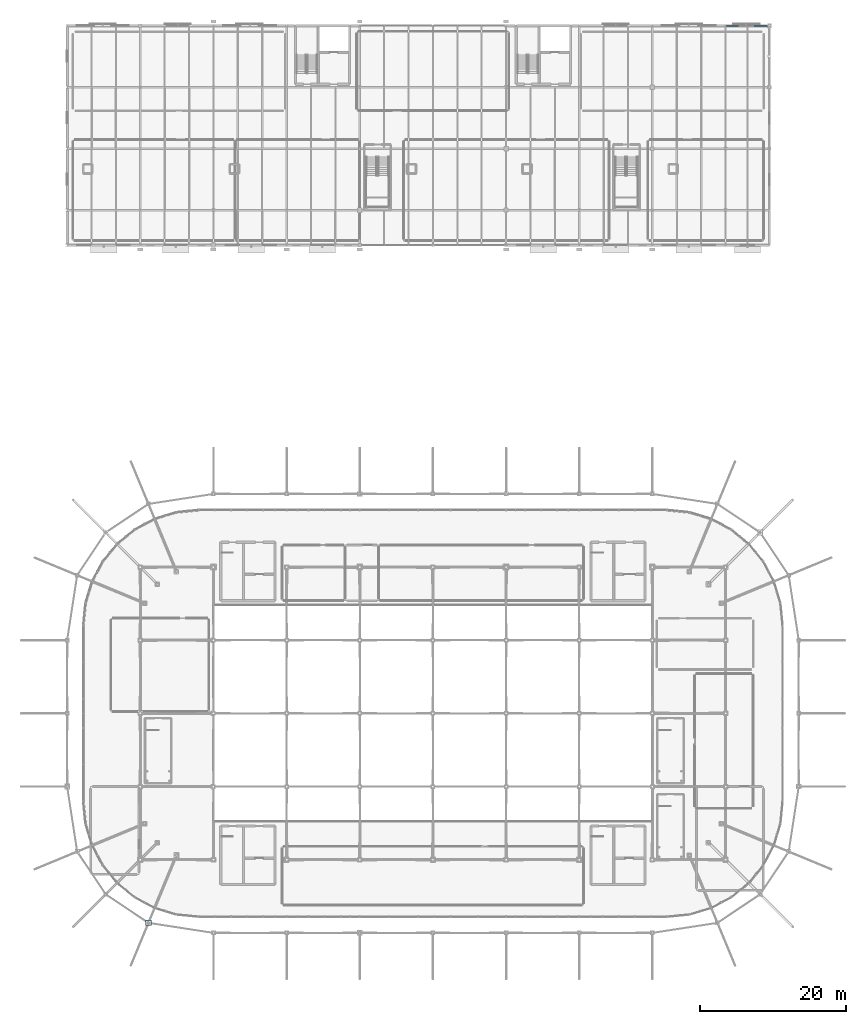
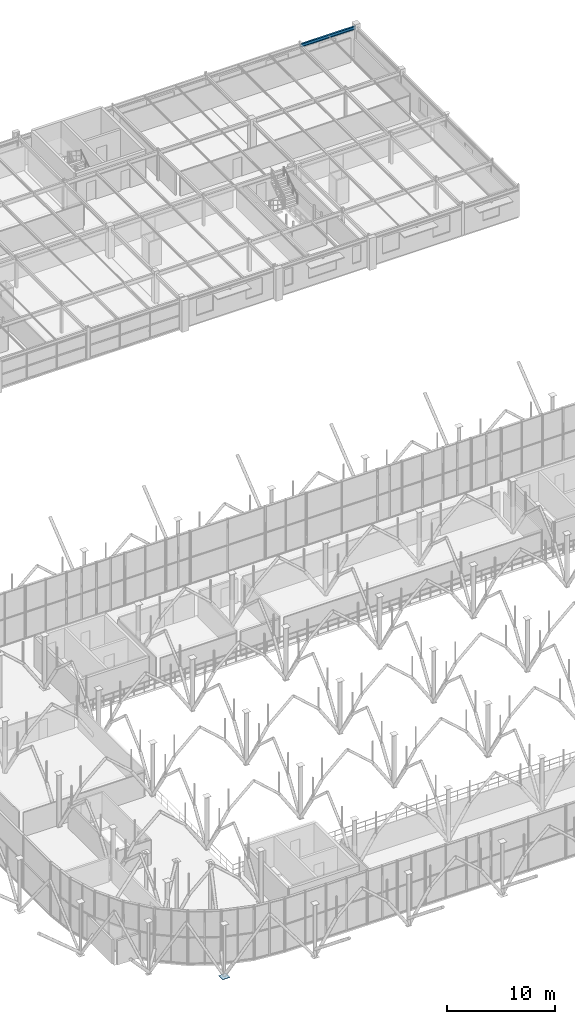
# One storey, part 85 of 109: 1 beam, 1 plate.
"""IFC4 building model written with IfcOpenShell, lengths in metres."""

from ifc_helpers import new_model, si_unit, derived_unit, direction, frame, origin, origin_2d_with_axis, place, context, subcontext, project, spatial, rectangle, i_section, extrude, material, layer, layer_set, material_profile, profile_set, type_object, element, save


model = new_model("IFC4")

# Units and contexts
model_context = context("Model", 3, precision=1e-05, world=origin(), true_north=direction((0.0, 1.0)))
body_context = subcontext(model_context, "Body", "Model", "MODEL_VIEW")
ifc_project = project(units=[si_unit("LENGTHUNIT", "METRE"), si_unit("AREAUNIT", "SQUARE_METRE"), si_unit("VOLUMEUNIT", "CUBIC_METRE"), si_unit("PLANEANGLEUNIT", "RADIAN"), si_unit("MASSUNIT", "GRAM", prefix="KILO"), derived_unit("THERMALTRANSMITTANCEUNIT", [(si_unit("POWERUNIT", "WATT"), 1), (si_unit("LENGTHUNIT", "METRE"), -2), (si_unit("THERMODYNAMICTEMPERATUREUNIT", "KELVIN"), -1)])], contexts=[model_context])

# Site, building, storey
site_placement = place(None, origin())
site = spatial("IfcSite", under=ifc_project, at=site_placement, CompositionType="ELEMENT")
building_placement = place(site_placement, origin())
building = spatial("IfcBuilding", under=site, at=building_placement, Name="Cinnabar Yard Market Hall", CompositionType="ELEMENT")
storey_placement = place(building_placement, frame((0.0, 0.0, 8.39990234375)))
storey = spatial("IfcBuildingStorey", under=building, at=storey_placement, Name="L02", CompositionType="ELEMENT", Elevation=8.39990234375)

# Beam
ifc_material_1 = material(Name="Steel Grade 300 (300 MPa)", Category="steel")
ifc_material_profile = material_profile(ifc_material_1, i_section(OverallWidth=0.172119140625, OverallDepth=0.358642578125, WebThickness=0.008056640625, FlangeThickness=0.012939453125, FilletRadius=0.011474609375, at=origin_2d_with_axis()), Name="360UB56.7")
ifc_profile_set = profile_set([ifc_material_profile], Name="Steel Grade 300 (300 MPa)")
beam_type = type_object("IfcBeamType", Name="BM-SP02E", PredefinedType="SPANDREL", material=ifc_profile_set)
beam_placement = place(storey_placement, frame((156.06005859375, 138.0, 3.100830078125), z_axis=(1.0, 0.0, 0.0), x_axis=(0.0, 1.0, 0.0)))
element("IfcBeam", 1, at=beam_placement, inside=storey, type_object=beam_type, Name="V3 L02 Girder X 01236", PredefinedType="SPANDREL", context=body_context, shape_type="SweptSolid", body=[
    extrude(i_section(OverallWidth=0.172119140625, OverallDepth=0.358642578125, WebThickness=0.008056640625, FlangeThickness=0.012939453125, FilletRadius=0.011474609375, at=origin_2d_with_axis()), origin(), (0.0, 0.0, 1.0), 5.8798828125),
])

# Plate
ifc_material_2 = material(Name="Steel Grade 350 (350 MPa)", Category="steel")
ifc_layer = layer(ifc_material_2, 0.031982421875)
ifc_layer_set = layer_set([ifc_layer], Name="Steel Grade 350 (350 MPa)")
plate_type = type_object("IfcPlateType", Name="PL-NP10E", PredefinedType="SHEET", material=ifc_layer_set)
plate_placement = place(storey_placement, frame((77.11181640625, 15.3701171875, -0.01611328125), z_axis=(0.0, 0.0, 1.0), x_axis=(1.0, 0.0, 0.0)))
element("IfcPlate", 2, at=plate_placement, inside=storey, type_object=plate_type, Name="Tree Collar Plate V1C-SW6", PredefinedType="SHEET", context=body_context, shape_type="SweptSolid", body=[
    extrude(rectangle(XDim=0.780029296875, YDim=0.780029296875, at=origin_2d_with_axis()), origin(), (0.0, 0.0, 1.0), 0.031982421875),
])

save(model, "model.ifc")
